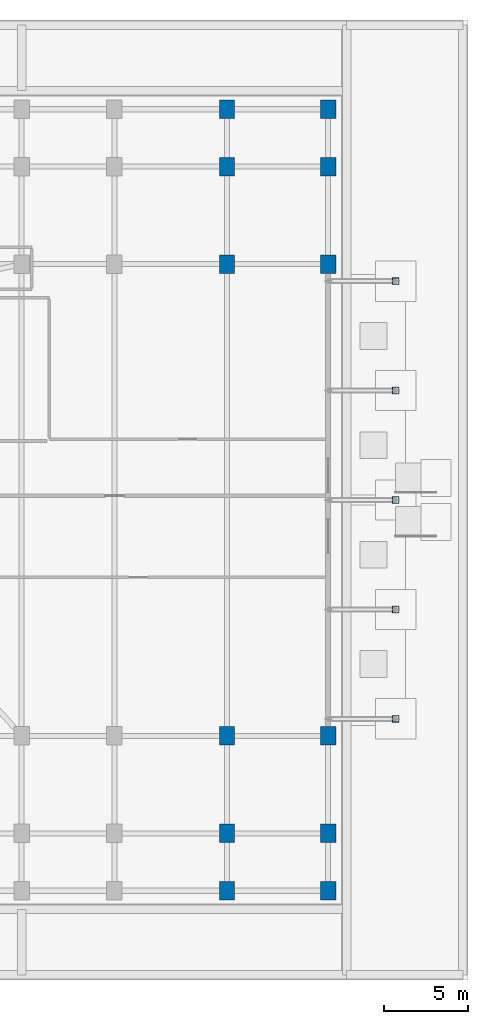
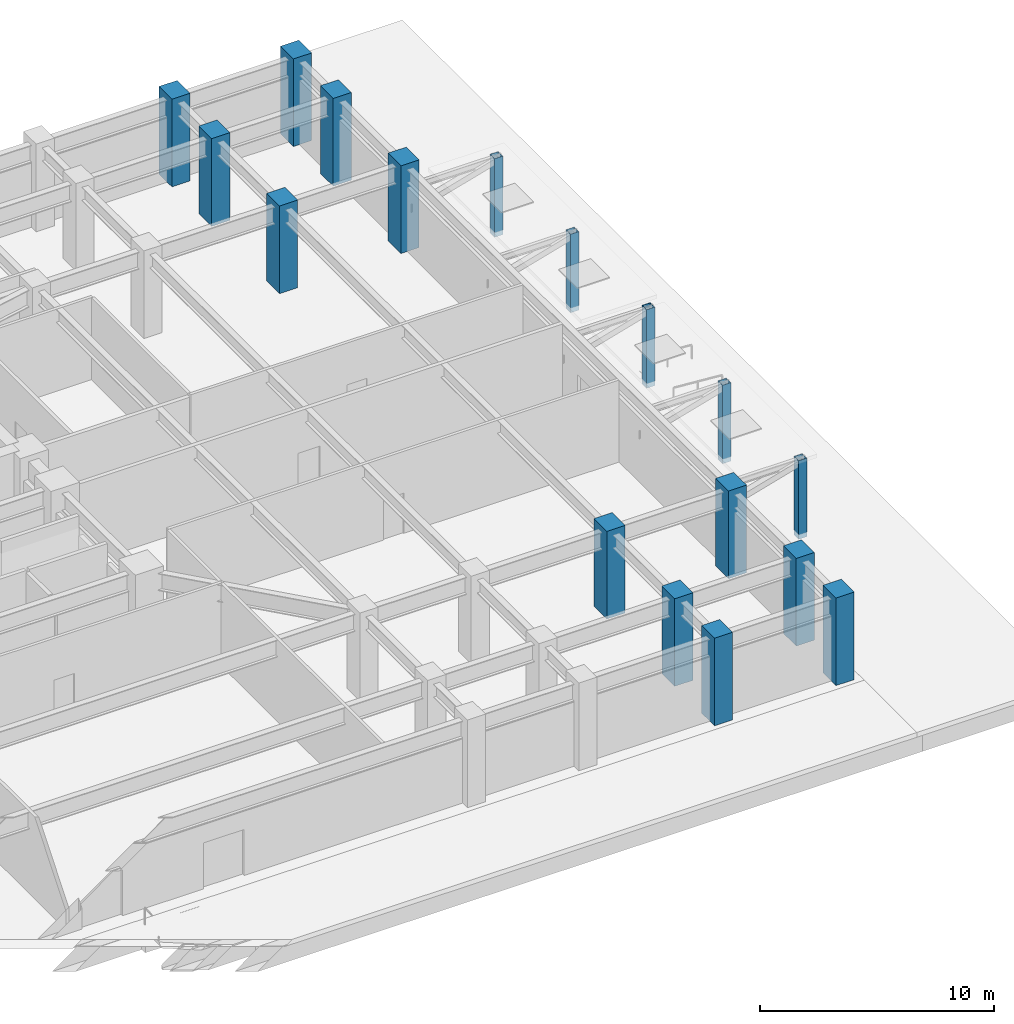
# One storey, part 5 of 23: 17 columns.
"""IFC4 building model written with IfcOpenShell, lengths in metres."""

from ifc_helpers import new_model, si_unit, direction, frame, origin, origin_2d, place, context, subcontext, project, spatial, rectangle, hollow_rectangle, extrude, material, material_profile, profile_set, type_object, element, save


model = new_model("IFC4")

# Units and contexts
model_context = context("Model", 3, precision=1e-05, world=origin(), true_north=direction((0.0, 1.0)))
body_context = subcontext(model_context, "Body", "Model", "MODEL_VIEW")
ifc_project = project(units=[si_unit("LENGTHUNIT", "METRE"), si_unit("AREAUNIT", "SQUARE_METRE"), si_unit("VOLUMEUNIT", "CUBIC_METRE"), si_unit("PLANEANGLEUNIT", "RADIAN"), si_unit("MASSUNIT", "GRAM", prefix="KILO")], contexts=[model_context])

# Site, building, storey
site_placement = place(None, origin())
site = spatial("IfcSite", under=ifc_project, at=site_placement, CompositionType="ELEMENT")
building_placement = place(site_placement, origin())
building = spatial("IfcBuilding", under=site, at=building_placement, Name="Varnakorn Sky Granary", CompositionType="ELEMENT")
storey_placement = place(building_placement, origin())
storey = spatial("IfcBuildingStorey", under=building, at=storey_placement, Name="L00", CompositionType="ELEMENT", Elevation=0.0)

# Columns
ifc_material_1 = material(Name="Steel S460M", Category="steel")
ifc_material_profile_1 = material_profile(ifc_material_1, hollow_rectangle(XDim=0.39990234375, YDim=0.39990234375, WallThickness=0.02001953125, at=origin_2d()), Name="SHS 400x400x20")
ifc_profile_set_1 = profile_set([ifc_material_profile_1], Name="Steel S460M")
column_type_1 = type_object("IfcColumnType", Name="COL-PIL-400", PredefinedType="PILASTER", material=ifc_profile_set_1)
for number, where, z_axis, x_axis, name in (
    (1, (37.199951171875, -13.0, -0.25), (0.0, 0.0, 1.0), (1.0, 0.0, 0.0), "Plaza Canopy Pilaster CP6"),
    (2, (37.199951171875, -6.5, -0.25), (0.0, 0.0, 1.0), (1.0, 0.0, 0.0), "Plaza Canopy Pilaster CP7"),
    (3, (37.199951171875, 0.0, -0.25), (0.0, 0.0, 1.0), (1.0, 0.0, 0.0), "Plaza Canopy Pilaster CP8"),
    (4, (37.199951171875, 6.5, -0.25), (0.0, 0.0, 1.0), (1.0, 0.0, 0.0), "Plaza Canopy Pilaster CP9"),
    (5, (37.199951171875, 13.0, -0.25), (0.0, 0.0, 1.0), (1.0, 0.0, 0.0), "Plaza Canopy Pilaster CP10"),
):
    element("IfcColumn", number, at=place(storey_placement, frame(where, z_axis=z_axis, x_axis=x_axis)), inside=storey, type_object=column_type_1, Name=name, PredefinedType="PILASTER", context=body_context, shape_type="SweptSolid", body=[
        extrude(hollow_rectangle(XDim=0.39990234375, YDim=0.39990234375, WallThickness=0.02001953125, at=origin_2d()), origin(), (0.0, 0.0, 1.0), 4.10009765625),
    ])
ifc_material_2 = material(Name="Concrete C60/75", Category="concrete")
ifc_material_profile_2 = material_profile(ifc_material_2, rectangle(XDim=0.89990234375, YDim=1.10009765625, at=origin_2d()), Name="RC 900x1100")
ifc_profile_set_2 = profile_set([ifc_material_profile_2], Name="Concrete C60/75")
column_type_2 = type_object("IfcColumnType", Name="COL-POD-1100", PredefinedType="COLUMN", material=ifc_profile_set_2)
for number, where, z_axis, x_axis, name in (
    (6, (27.199951171875, -23.199951171875, 0.0), (0.0, 0.0, 1.0), (1.0, 0.0, 0.0), "Podium Column P71 L00"),
    (7, (27.199951171875, -19.800048828125, 0.0), (0.0, 0.0, 1.0), (1.0, 0.0, 0.0), "Podium Column P72 L00"),
    (8, (27.199951171875, -14.0, 0.0), (0.0, 0.0, 1.0), (1.0, 0.0, 0.0), "Podium Column P73 L00"),
    (9, (27.199951171875, 14.0, 0.0), (0.0, 0.0, 1.0), (1.0, 0.0, 0.0), "Podium Column P74 L00"),
    (10, (27.199951171875, 19.800048828125, 0.0), (0.0, 0.0, 1.0), (1.0, 0.0, 0.0), "Podium Column P75 L00"),
    (11, (27.199951171875, 23.199951171875, 0.0), (0.0, 0.0, 1.0), (1.0, 0.0, 0.0), "Podium Column P76 L00"),
    (12, (33.199951171875, -23.199951171875, 0.0), (0.0, 0.0, 1.0), (1.0, 0.0, 0.0), "Podium Column P81 L00"),
    (13, (33.199951171875, -19.800048828125, 0.0), (0.0, 0.0, 1.0), (1.0, 0.0, 0.0), "Podium Column P82 L00"),
    (14, (33.199951171875, -14.0, 0.0), (0.0, 0.0, 1.0), (1.0, 0.0, 0.0), "Podium Column P83 L00"),
    (15, (33.199951171875, 14.0, 0.0), (0.0, 0.0, 1.0), (1.0, 0.0, 0.0), "Podium Column P84 L00"),
    (16, (33.199951171875, 19.800048828125, 0.0), (0.0, 0.0, 1.0), (1.0, 0.0, 0.0), "Podium Column P85 L00"),
    (17, (33.199951171875, 23.199951171875, 0.0), (0.0, 0.0, 1.0), (1.0, 0.0, 0.0), "Podium Column P86 L00"),
):
    element("IfcColumn", number, at=place(storey_placement, frame(where, z_axis=z_axis, x_axis=x_axis)), inside=storey, type_object=column_type_2, Name=name, PredefinedType="COLUMN", context=body_context, shape_type="SweptSolid", body=[
        extrude(rectangle(XDim=0.89990234375, YDim=1.10009765625, at=origin_2d()), origin(), (0.0, 0.0, 1.0), 4.574951171875),
    ])

save(model, "model.ifc")
